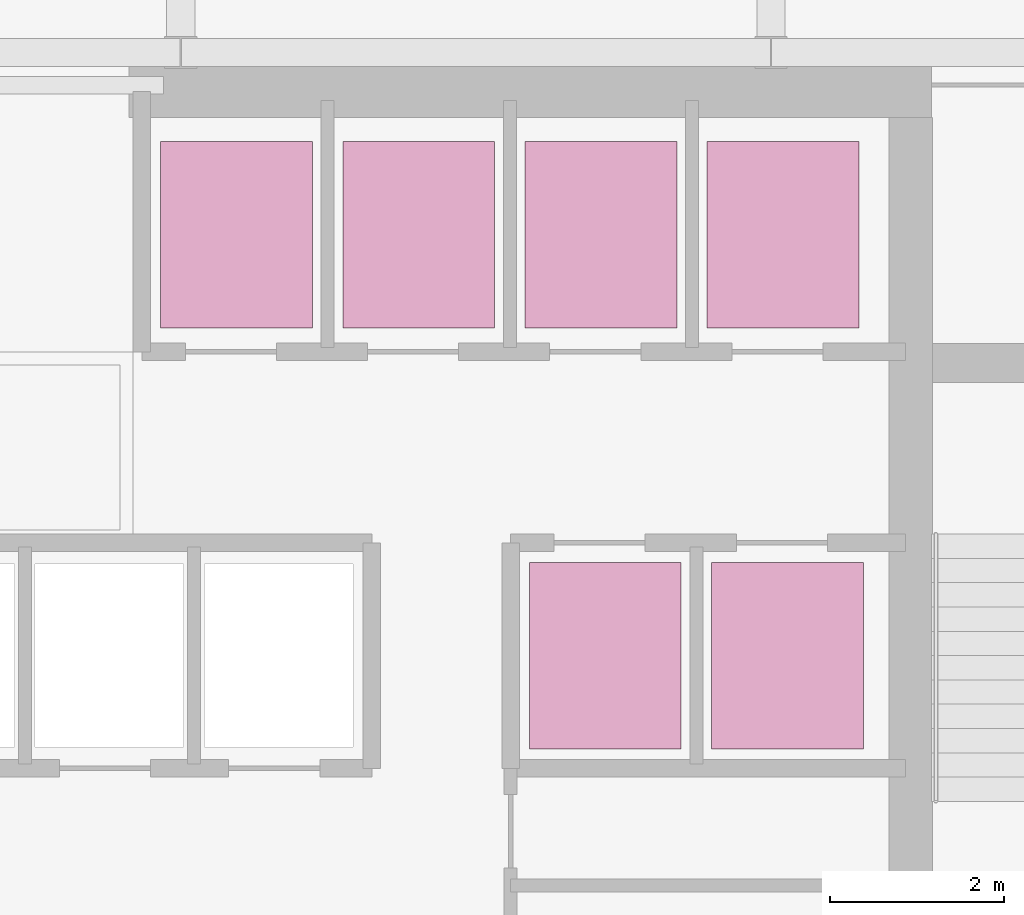
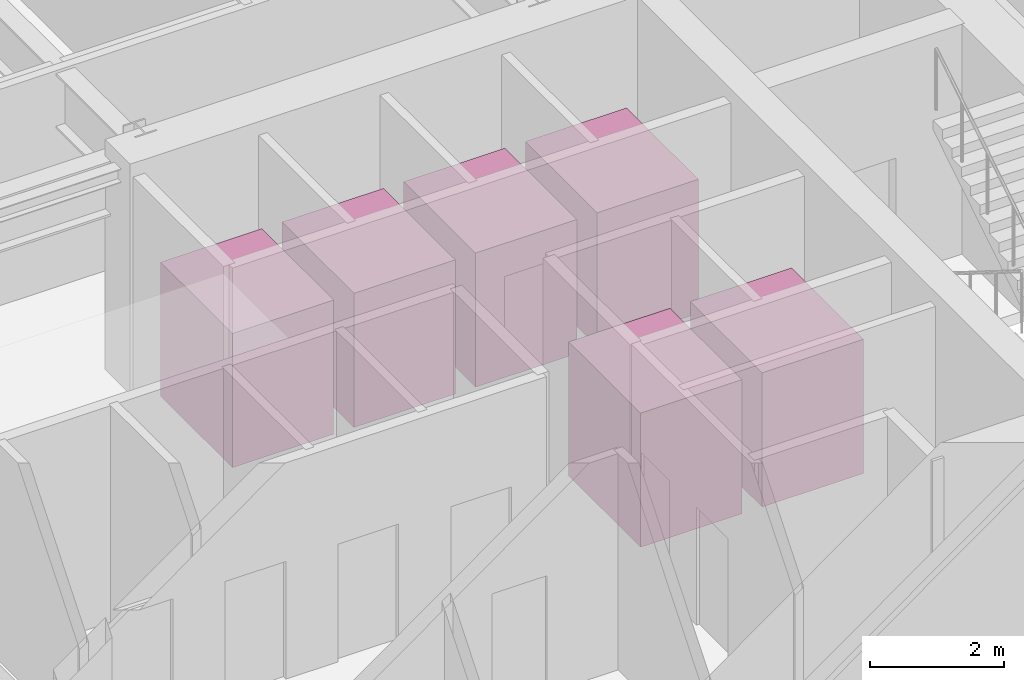
# One storey, part 26 of 26: 6 transport elements.
"""IFC4 building model written with IfcOpenShell, lengths in metres."""

from ifc_helpers import new_model, si_unit, derived_unit, direction, frame, origin, origin_2d, place, context, subcontext, project, spatial, rectangle, extrude, source, transform, mapped, material, type_object, element, save


model = new_model("IFC4")

# Units and contexts
model_context = context("Model", 3, precision=1e-05, world=origin(), true_north=direction((0.0, 1.0)))
body_context = subcontext(model_context, "Body", "Model", "MODEL_VIEW")
ifc_project = project(units=[si_unit("LENGTHUNIT", "METRE"), si_unit("AREAUNIT", "SQUARE_METRE"), si_unit("VOLUMEUNIT", "CUBIC_METRE"), si_unit("PLANEANGLEUNIT", "RADIAN"), si_unit("MASSUNIT", "GRAM", prefix="KILO"), derived_unit("THERMALTRANSMITTANCEUNIT", [(si_unit("POWERUNIT", "WATT"), 1), (si_unit("LENGTHUNIT", "METRE"), -2), (si_unit("THERMODYNAMICTEMPERATUREUNIT", "KELVIN"), -1)])], contexts=[model_context])

# Site, building, storey
site_placement = place(None, origin())
site = spatial("IfcSite", under=ifc_project, at=site_placement, CompositionType="ELEMENT")
building_placement = place(site_placement, origin())
building = spatial("IfcBuilding", under=site, at=building_placement, Name="Skarnbrae Concourse Arena and Tower", CompositionType="ELEMENT")
storey_placement = place(building_placement, frame((0.0, 0.0, 184.39990234375)))
storey = spatial("IfcBuildingStorey", under=building, at=storey_placement, Name="L47", CompositionType="ELEMENT", Elevation=184.39990234375)

# Transport elements
ifc_material = material(Name="Brushed stainless steel elevator cab", Category="steel")
transport_element_type = type_object("IfcTransportElementType", Name="LIFT-PASS-1750X2150", PredefinedType="ELEVATOR", material=ifc_material)
shared_shape = source(origin(), body_context, "Body", "SweptSolid", [
    extrude(rectangle(XDim=1.75, YDim=2.14990234375, at=origin_2d()), origin(), (0.0, 0.0, 1.0), 2.449951171875),
])
for number, where, z_axis, x_axis, name in (
    (1, (21.840087890625, 11.89990234375, 0.0), (0.0, 0.0, 1.0), (1.0, 0.0, 0.0), "Passenger Elevator PL-3A car"),
    (2, (23.93994140625, 11.89990234375, 0.0), (0.0, 0.0, 1.0), (1.0, 0.0, 0.0), "Passenger Elevator PL-3B car"),
    (3, (26.0400390625, 11.89990234375, 0.0), (0.0, 0.0, 1.0), (1.0, 0.0, 0.0), "Passenger Elevator PL-3C car"),
    (4, (28.139892578125, 11.89990234375, 0.0), (0.0, 0.0, 1.0), (1.0, 0.0, 0.0), "Passenger Elevator PL-3D car"),
    (5, (26.090087890625, 7.050048828125, 0.0), (0.0, 0.0, 1.0), (1.0, 0.0, 0.0), "Passenger Elevator PL-3E car"),
    (6, (28.18994140625, 7.050048828125, 0.0), (0.0, 0.0, 1.0), (1.0, 0.0, 0.0), "Passenger Elevator PL-3F car"),
):
    element("IfcTransportElement", number, at=place(storey_placement, frame(where, z_axis=z_axis, x_axis=x_axis)), inside=storey, type_object=transport_element_type, Name=name, PredefinedType="ELEVATOR", context=body_context, shape_type="MappedRepresentation", body=[
        mapped(shared_shape, transform((0.0, 0.0, 0.0))),
    ])

save(model, "model.ifc")
